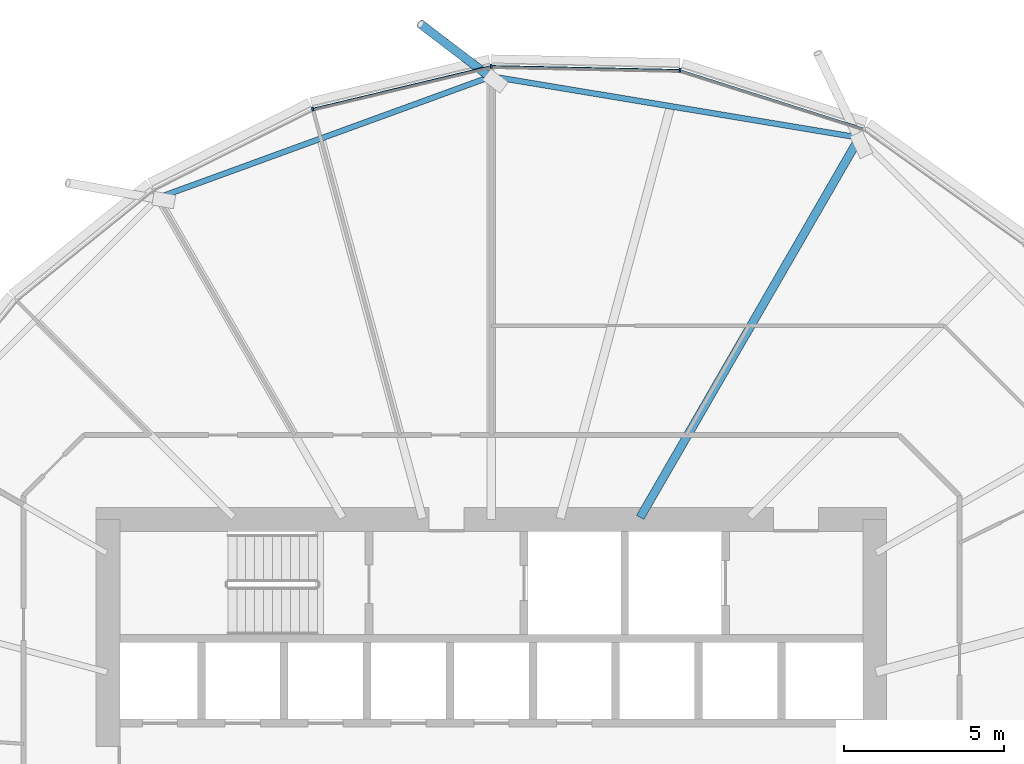
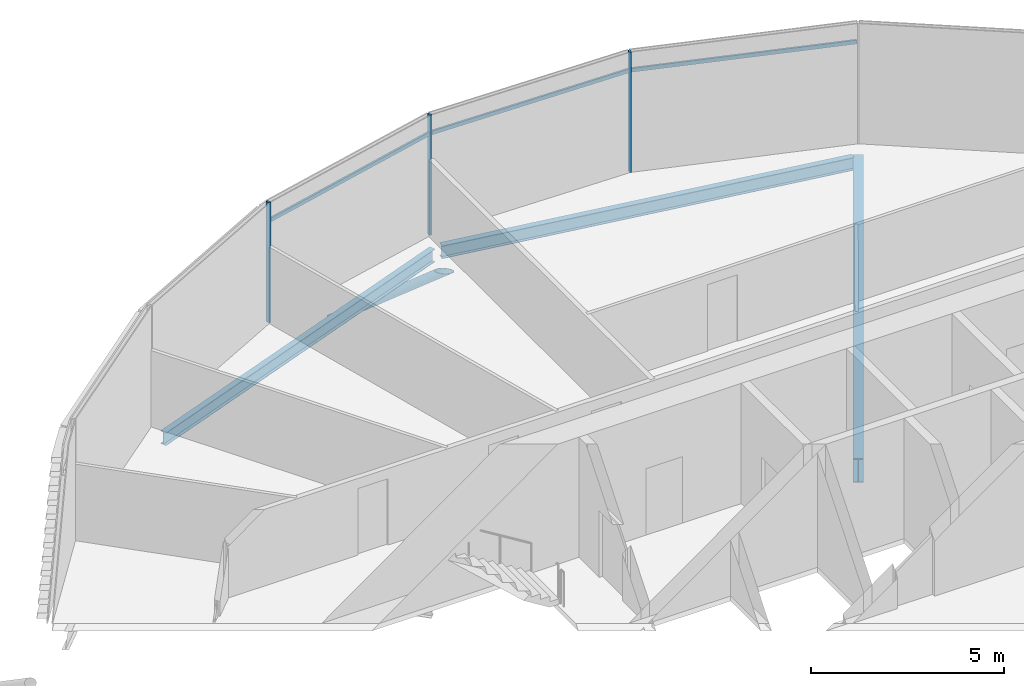
# One storey, part 17 of 39: 7 members, 3 beams, 1 element without a shape of its own.
"""IFC4 building model written with IfcOpenShell, lengths in metres."""

from ifc_helpers import new_model, si_unit, direction, frame, origin, origin_2d, place, context, subcontext, project, spatial, rectangle, hollow_circle, i_section, extrude, clip, halfspace, material, material_profile, profile_set, type_object, element, aggregate, save


model = new_model("IFC4")

# Units and contexts
model_context = context("Model", 3, precision=1e-05, world=origin(), true_north=direction((0.0, 1.0)))
body_context = subcontext(model_context, "Body", "Model", "MODEL_VIEW")
ifc_project = project(units=[si_unit("LENGTHUNIT", "METRE"), si_unit("AREAUNIT", "SQUARE_METRE"), si_unit("VOLUMEUNIT", "CUBIC_METRE"), si_unit("PLANEANGLEUNIT", "RADIAN"), si_unit("MASSUNIT", "GRAM", prefix="KILO")], contexts=[model_context])

# Site, building, storey
site_placement = place(None, origin())
site = spatial("IfcSite", under=ifc_project, at=site_placement, CompositionType="ELEMENT")
building_placement = place(site_placement, origin())
building = spatial("IfcBuilding", under=site, at=building_placement, Name="Rimbun Link Towers", CompositionType="ELEMENT")
storey_placement = place(building_placement, frame((0.0, 0.0, 100.60009765625)))
storey = spatial("IfcBuildingStorey", under=building, at=storey_placement, Name="L24", CompositionType="ELEMENT", Elevation=100.60009765625)

# Curtain wall, members
ifc_material_1 = material(Name="Aluminium 6063-T6 and low-iron glass", Category="aluminium")
curtain_wall_type = type_object("IfcCurtainWallType", Name="CW1-Z2 unitised vision wall (zone 2)", PredefinedType="NOTDEFINED", material=ifc_material_1)
curtain_wall_placement = place(storey_placement, origin())
curtain_wall = element("IfcCurtainWall", 1, at=curtain_wall_placement, inside=storey, type_object=curtain_wall_type, Name="CW1 L24 T2", PredefinedType="NOTDEFINED")
ifc_material_2 = material(Name="Aluminium 6063-T6", Category="aluminium")
ifc_material_profile_1 = material_profile(ifc_material_2, rectangle(XDim=0.1201171875, YDim=0.06005859375, at=origin_2d()), Name="MULLION 60X120")
ifc_profile_set_1 = profile_set([ifc_material_profile_1], Name="Aluminium 6063-T6")
member_type_1 = type_object("IfcMemberType", Name="CW1 mullion 60X120", PredefinedType="MULLION", material=ifc_profile_set_1)
member_1_placement = place(storey_placement, frame((37.656005859375, 22.06396484375, 0.0), z_axis=(0.0, 0.0, 1.0), x_axis=(0.16374422533, 0.986502827503, 0.0)))
member_1 = element("IfcMember", 2, at=member_1_placement, type_object=member_type_1, Name="CW1 mullion", PredefinedType="MULLION", context=body_context, shape_type="SweptSolid", body=[
    extrude(rectangle(XDim=0.1201171875, YDim=0.06005859375, at=origin_2d()), origin(), (0.0, 0.0, 1.0), 3.7998046875),
])
member_2_placement = place(storey_placement, frame((31.74365234375, 22.188720703125, 0.0), z_axis=(0.0, 0.0, 1.0), x_axis=(-0.106641875974, 0.994297495868, 0.0)))
member_2 = element("IfcMember", 3, at=member_2_placement, type_object=member_type_1, Name="CW1 mullion", PredefinedType="MULLION", context=body_context, shape_type="SweptSolid", body=[
    extrude(rectangle(XDim=0.1201171875, YDim=0.06005859375, at=origin_2d()), origin(), (0.0, 0.0, 1.0), 3.7998046875),
])
member_3_placement = place(storey_placement, frame((26.156982421875, 20.8525390625, 0.0), z_axis=(0.0, 0.0, 1.0), x_axis=(-0.34296997, 0.939346368321, 0.0)))
member_3 = element("IfcMember", 4, at=member_3_placement, type_object=member_type_1, Name="CW1 mullion", PredefinedType="MULLION", context=body_context, shape_type="SweptSolid", body=[
    extrude(rectangle(XDim=0.1201171875, YDim=0.06005859375, at=origin_2d()), origin(), (0.0, 0.0, 1.0), 3.7998046875),
])
ifc_material_3 = material(Name="Aluminium 6063-T6", Category="aluminium")
ifc_material_profile_2 = material_profile(ifc_material_3, rectangle(XDim=0.06005859375, YDim=0.1201171875, at=origin_2d()), Name="TRANSOM 60X120")
ifc_profile_set_2 = profile_set([ifc_material_profile_2], Name="Aluminium 6063-T6")
member_type_2 = type_object("IfcMemberType", Name="CW1 transom 60X120", PredefinedType="USERDEFINED", material=ifc_profile_set_2)
member_4_placement = place(storey_placement, frame((37.6923828125, 22.051025390625, 3.199951171875), z_axis=(0.952960112713, -0.303095733354, 0.0), x_axis=(0.303095733354, 0.952960112713, 0.0)))
member_4 = element("IfcMember", 5, at=member_4_placement, type_object=member_type_2, Name="CW1 transom", ObjectType="TRANSOM", PredefinedType="USERDEFINED", context=body_context, shape_type="SweptSolid", body=[
    extrude(rectangle(XDim=0.06005859375, YDim=0.1201171875, at=origin_2d()), origin(), (0.0, 0.0, 1.0), 5.975830078125),
])
member_5_placement = place(storey_placement, frame((31.78125, 22.186279296875, 3.199951171875), z_axis=(0.999778698532, -0.021036966549, 0.0), x_axis=(0.021036966549, 0.999778698532, 0.0)))
member_5 = element("IfcMember", 6, at=member_5_placement, type_object=member_type_2, Name="CW1 transom", ObjectType="TRANSOM", PredefinedType="USERDEFINED", context=body_context, shape_type="SweptSolid", body=[
    extrude(rectangle(XDim=0.06005859375, YDim=0.1201171875, at=origin_2d()), origin(), (0.0, 0.0, 1.0), 5.83740234375),
])
member_6_placement = place(storey_placement, frame((26.193359375, 20.859619140625, 3.199951171875), z_axis=(0.972566820521, 0.232623686715, 0.0), x_axis=(-0.232623686715, 0.972566820521, 0.0)))
member_6 = element("IfcMember", 7, at=member_6_placement, type_object=member_type_2, Name="CW1 transom", ObjectType="TRANSOM", PredefinedType="USERDEFINED", context=body_context, shape_type="SweptSolid", body=[
    extrude(rectangle(XDim=0.06005859375, YDim=0.1201171875, at=origin_2d()), origin(), (0.0, 0.0, 1.0), 5.66943359375),
])
aggregate(curtain_wall, [member_1, member_2, member_3, member_4, member_5, member_6])

# Member
ifc_material_4 = material(Name="Steel S355J2H", Category="steel")
ifc_material_profile_3 = material_profile(ifc_material_4, hollow_circle(Radius=0.136474609375, WallThickness=0.012451171875, at=origin_2d()), Name="CHS 273x12.5")
ifc_profile_set_3 = profile_set([ifc_material_profile_3], Name="Steel S355J2H")
member_type_3 = type_object("IfcMemberType", Name="Floor edge link CHS 273x12.5", PredefinedType="BRACE", material=ifc_profile_set_3)
member_7_placement = place(storey_placement, frame((31.75, 21.822021484375, -1.0390625), z_axis=(-0.679773423903, 0.518905889219, -0.518309531352), x_axis=(-0.606770438468, -0.794877119435, 0.0)))
element("IfcMember", 8, at=member_7_placement, inside=storey, type_object=member_type_3, Name="Floor edge link T2 L24 03", PredefinedType="BRACE", context=body_context, shape_type="Clipping", body=[
    clip(extrude(hollow_circle(Radius=0.136474609375, WallThickness=0.012451171875, at=origin_2d()), frame((0.0, 0.0, -0.4697265625)), (0.0, 0.0, 1.0), 3.744873046875), halfspace(frame((0.0, 0.0, -0.221435546875), z_axis=(0.0, 0.855193094985, -0.518309531352)), False)),
])

# Beams
ifc_material_5 = material(Name="Steel S355J2", Category="steel")
ifc_material_profile_4 = material_profile(ifc_material_5, i_section(OverallWidth=0.177978515625, OverallDepth=0.406494140625, WebThickness=0.0078125, FlangeThickness=0.0126953125, at=origin_2d()), Name="UB 406x178x60")
ifc_profile_set_4 = profile_set([ifc_material_profile_4], Name="Steel S355J2")
beam_type_1 = type_object("IfcBeamType", Name="UB 406x178x60", PredefinedType="BEAM", material=ifc_profile_set_4)
beam_1_placement = place(storey_placement, frame((43.12890625, 19.977294921875, -0.36328125), z_axis=(-0.986419380736, 0.164246172888, 0.0), x_axis=(-0.164246172888, -0.986419380736, 0.0)))
element("IfcBeam", 9, at=beam_1_placement, inside=storey, type_object=beam_type_1, Name="Edge beam T2 L24 01-03", PredefinedType="BEAM", context=body_context, shape_type="SweptSolid", body=[
    extrude(i_section(OverallWidth=0.177978515625, OverallDepth=0.406494140625, WebThickness=0.0078125, FlangeThickness=0.0126953125, at=origin_2d()), origin(), (0.0, 0.0, 1.0), 11.3994140625),
])
beam_2_placement = place(storey_placement, frame((31.61572265625, 21.822998046875, -0.36328125), z_axis=(-0.939632941759, -0.342184065616, 0.0), x_axis=(0.342184065616, -0.939632941759, 0.0)))
element("IfcBeam", 10, at=beam_2_placement, inside=storey, type_object=beam_type_1, Name="Edge beam T2 L24 03-05", PredefinedType="BEAM", context=body_context, shape_type="SweptSolid", body=[
    extrude(i_section(OverallWidth=0.177978515625, OverallDepth=0.406494140625, WebThickness=0.0078125, FlangeThickness=0.0126953125, at=origin_2d()), origin(), (0.0, 0.0, 1.0), 10.844970703125),
])
ifc_material_6 = material(Name="Steel S355J2", Category="steel")
ifc_material_profile_5 = material_profile(ifc_material_6, i_section(OverallWidth=0.2666015625, OverallDepth=0.76220703125, WebThickness=0.014404296875, FlangeThickness=0.021484375, at=origin_2d()), Name="UB 762x267x173")
ifc_profile_set_5 = profile_set([ifc_material_profile_5], Name="Steel S355J2")
beam_type_2 = type_object("IfcBeamType", Name="UB 762x267x173", PredefinedType="BEAM", material=ifc_profile_set_5)
beam_3_placement = place(storey_placement, frame((36.40771484375, 8.0673828125, -0.541259765625), z_axis=(0.500007303237, 0.866021187218, 0.0), x_axis=(-0.866021187218, 0.500007303237, 0.0)))
element("IfcBeam", 11, at=beam_3_placement, inside=storey, type_object=beam_type_2, Name="Radial beam T2 L24 01", PredefinedType="BEAM", context=body_context, shape_type="SweptSolid", body=[
    extrude(i_section(OverallWidth=0.2666015625, OverallDepth=0.76220703125, WebThickness=0.014404296875, FlangeThickness=0.021484375, at=origin_2d()), origin(), (0.0, 0.0, 1.0), 13.725341796875),
])

save(model, "model.ifc")
